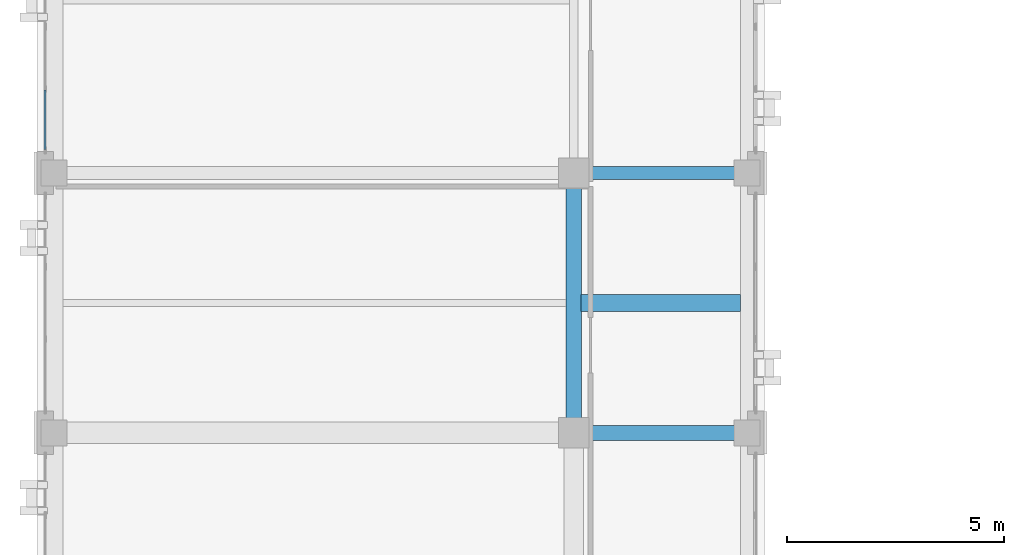
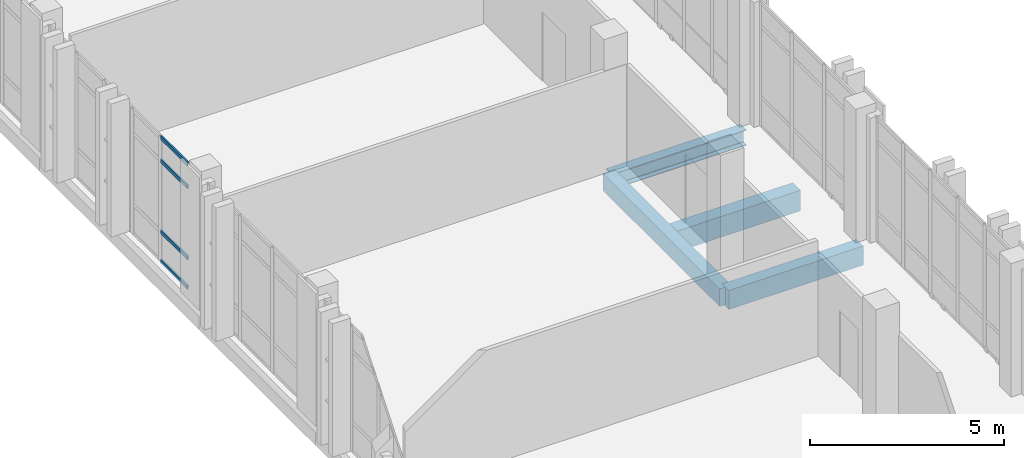
# One storey, part 30 of 90: 4 beams, 4 members, 1 element without a shape of its own.
"""IFC4 building model written with IfcOpenShell, lengths in metres."""

from ifc_helpers import new_model, si_unit, direction, frame, origin, origin_2d, place, context, subcontext, project, spatial, rectangle, hollow_rectangle, i_section, extrude, material, layer, layer_set, material_profile, profile_set, type_object, element, aggregate, save


model = new_model("IFC4")

# Units and contexts
model_context = context("Model", 3, precision=1e-05, world=origin(), true_north=direction((0.0, 1.0)))
body_context = subcontext(model_context, "Body", "Model", "MODEL_VIEW")
ifc_project = project(units=[si_unit("LENGTHUNIT", "METRE"), si_unit("AREAUNIT", "SQUARE_METRE"), si_unit("VOLUMEUNIT", "CUBIC_METRE"), si_unit("PLANEANGLEUNIT", "RADIAN"), si_unit("MASSUNIT", "GRAM", prefix="KILO")], contexts=[model_context])

# Site, building, storey
site_placement = place(None, origin())
site = spatial("IfcSite", under=ifc_project, at=site_placement, CompositionType="ELEMENT")
building_placement = place(site_placement, origin())
building = spatial("IfcBuilding", under=site, at=building_placement, Name="Qalavern Law Courts", CompositionType="ELEMENT")
storey_placement = place(building_placement, frame((0.0, 0.0, 22.800048828125)))
storey = spatial("IfcBuildingStorey", under=building, at=storey_placement, Name="L05", CompositionType="ELEMENT", Elevation=22.800048828125)

# Curtain wall, members
ifc_material_1 = material(Name="Anodised aluminium and insulated glazing", Category="aluminium")
ifc_layer = layer(ifc_material_1, 0.159912109375)
ifc_layer_set = layer_set([ifc_layer], Name="Anodised aluminium and insulated glazing")
curtain_wall_type = type_object("IfcCurtainWallType", Name="ENV-CW-CHAMB", PredefinedType="USERDEFINED", material=ifc_layer_set)
curtain_wall_placement = place(storey_placement, origin())
curtain_wall = element("IfcCurtainWall", 1, at=curtain_wall_placement, inside=storey, type_object=curtain_wall_type, Name="V3 unitised curtain wall L05 west 2", ObjectType="UNITISED CURTAIN WALL", PredefinedType="USERDEFINED")
ifc_material_2 = material(Name="Anodised aluminium", Category="aluminium")
ifc_material_profile_1 = material_profile(ifc_material_2, hollow_rectangle(XDim=0.048095703125, YDim=0.1201171875, WallThickness=0.00390625, at=origin_2d()), Name="ALU TRANSOM 48x120")
ifc_profile_set_1 = profile_set([ifc_material_profile_1], Name="Anodised aluminium")
member_type = type_object("IfcMemberType", Name="ENV-CWT-48x120", PredefinedType="USERDEFINED", material=ifc_profile_set_1)
member_1_placement = place(storey_placement, frame((2.1923828125, 81.31591796875, 0.02392578125), z_axis=(0.0, -1.0, 0.0), x_axis=(1.0, 0.0, 0.0)))
member_1 = element("IfcMember", 2, at=member_1_placement, type_object=member_type, Name="CW-04 transom 5.1", ObjectType="TRANSOM", PredefinedType="USERDEFINED", context=body_context, shape_type="SweptSolid", body=[
    extrude(hollow_rectangle(XDim=0.048095703125, YDim=0.1201171875, WallThickness=0.00390625, at=origin_2d()), origin(), (0.0, 0.0, 1.0), 1.367919921875),
])
member_2_placement = place(storey_placement, frame((2.1923828125, 81.31591796875, 0.949951171875), z_axis=(0.0, -1.0, 0.0), x_axis=(1.0, 0.0, 0.0)))
member_2 = element("IfcMember", 3, at=member_2_placement, type_object=member_type, Name="CW-04 transom 5.2", ObjectType="TRANSOM", PredefinedType="USERDEFINED", context=body_context, shape_type="SweptSolid", body=[
    extrude(hollow_rectangle(XDim=0.048095703125, YDim=0.1201171875, WallThickness=0.00390625, at=origin_2d()), origin(), (0.0, 0.0, 1.0), 1.367919921875),
])
member_3_placement = place(storey_placement, frame((2.1923828125, 81.31591796875, 3.179931640625), z_axis=(0.0, -1.0, 0.0), x_axis=(1.0, 0.0, 0.0)))
member_3 = element("IfcMember", 4, at=member_3_placement, type_object=member_type, Name="CW-04 transom 5.3", ObjectType="TRANSOM", PredefinedType="USERDEFINED", context=body_context, shape_type="SweptSolid", body=[
    extrude(hollow_rectangle(XDim=0.048095703125, YDim=0.1201171875, WallThickness=0.00390625, at=origin_2d()), origin(), (0.0, 0.0, 1.0), 1.367919921875),
])
member_4_placement = place(storey_placement, frame((2.1923828125, 81.31591796875, 3.906005859375), z_axis=(0.0, -1.0, 0.0), x_axis=(1.0, 0.0, 0.0)))
member_4 = element("IfcMember", 5, at=member_4_placement, type_object=member_type, Name="CW-04 transom 5.4", ObjectType="TRANSOM", PredefinedType="USERDEFINED", context=body_context, shape_type="SweptSolid", body=[
    extrude(hollow_rectangle(XDim=0.048095703125, YDim=0.1201171875, WallThickness=0.00390625, at=origin_2d()), origin(), (0.0, 0.0, 1.0), 1.367919921875),
])
aggregate(curtain_wall, [member_1, member_2, member_3, member_4])

# Beams
ifc_material_3 = material(Name="Steel S355", Category="steel")
ifc_material_profile_2 = material_profile(ifc_material_3, i_section(OverallWidth=0.300048828125, OverallDepth=0.489990234375, WebThickness=0.011962890625, FlangeThickness=0.02294921875, FilletRadius=0.027099609375, at=origin_2d()), Name="HEA 500")
ifc_profile_set_2 = profile_set([ifc_material_profile_2], Name="Steel S355")
beam_type_1 = type_object("IfcBeamType", Name="STR-BM-HEA500", PredefinedType="BEAM", material=ifc_profile_set_2)
beam_1_placement = place(storey_placement, frame((14.39990234375, 79.39990234375, -0.52001953125), z_axis=(1.0, 0.0, 0.0), x_axis=(0.0, 1.0, 0.0)))
element("IfcBeam", 6, at=beam_1_placement, inside=storey, type_object=beam_type_1, Name="V3 X-beam 6-2 L05", PredefinedType="BEAM", context=body_context, shape_type="SweptSolid", body=[
    extrude(i_section(OverallWidth=0.300048828125, OverallDepth=0.489990234375, WebThickness=0.011962890625, FlangeThickness=0.02294921875, FilletRadius=0.027099609375, at=origin_2d()), origin(), (0.0, 0.0, 1.0), 4.0),
])
ifc_material_4 = material(Name="Concrete C35/45", Category="concrete")
ifc_material_profile_3 = material_profile(ifc_material_4, rectangle(XDim=0.35009765625, YDim=0.550048828125, at=origin_2d()), Name="RC 350x550")
ifc_profile_set_3 = profile_set([ifc_material_profile_3], Name="Concrete C35/45")
beam_type_2 = type_object("IfcBeamType", Name="STR-BM-RC350x550", PredefinedType="BEAM", material=ifc_profile_set_3)
beam_2_placement = place(storey_placement, frame((14.39990234375, 73.39990234375, -0.550048828125), z_axis=(0.0, 1.0, 0.0), x_axis=(-1.0, 0.0, 0.0)))
element("IfcBeam", 7, at=beam_2_placement, inside=storey, type_object=beam_type_2, Name="V3 Y-beam 2-5 L05", PredefinedType="BEAM", context=body_context, shape_type="SweptSolid", body=[
    extrude(rectangle(XDim=0.35009765625, YDim=0.550048828125, at=origin_2d()), origin(), (0.0, 0.0, 1.0), 6.0),
])
ifc_material_profile_4 = material_profile(ifc_material_4, rectangle(XDim=0.35009765625, YDim=0.60009765625, at=origin_2d()), Name="RC 350x600")
ifc_profile_set_4 = profile_set([ifc_material_profile_4], Name="Concrete C35/45")
beam_type_3 = type_object("IfcBeamType", Name="STR-BM-RC350x600", PredefinedType="BEAM", material=ifc_profile_set_4)
beam_3_placement = place(storey_placement, frame((14.39990234375, 73.39990234375, -0.574951171875), z_axis=(1.0, 0.0, 0.0), x_axis=(0.0, 1.0, 0.0)))
element("IfcBeam", 8, at=beam_3_placement, inside=storey, type_object=beam_type_3, Name="V3 X-beam 5-2 L05", PredefinedType="BEAM", context=body_context, shape_type="SweptSolid", body=[
    extrude(rectangle(XDim=0.35009765625, YDim=0.60009765625, at=origin_2d()), origin(), (0.0, 0.0, 1.0), 4.0),
])
ifc_material_profile_5 = material_profile(ifc_material_4, rectangle(XDim=0.39990234375, YDim=0.64990234375, at=origin_2d()), Name="RC 400x650")
ifc_profile_set_5 = profile_set([ifc_material_profile_5], Name="Concrete C35/45")
beam_type_4 = type_object("IfcBeamType", Name="STR-JST-RC400x650", PredefinedType="JOIST", material=ifc_profile_set_5)
beam_4_placement = place(storey_placement, frame((14.572998046875, 76.39990234375, -0.60009765625), z_axis=(1.0, 0.0, 0.0), x_axis=(0.0, 1.0, 0.0)))
element("IfcBeam", 9, at=beam_4_placement, inside=storey, type_object=beam_type_4, Name="V3 secondary joist 2.5.1 L05", PredefinedType="JOIST", context=body_context, shape_type="SweptSolid", body=[
    extrude(rectangle(XDim=0.39990234375, YDim=0.64990234375, at=origin_2d()), origin(), (0.0, 0.0, 1.0), 3.678955078125),
])

save(model, "model.ifc")
